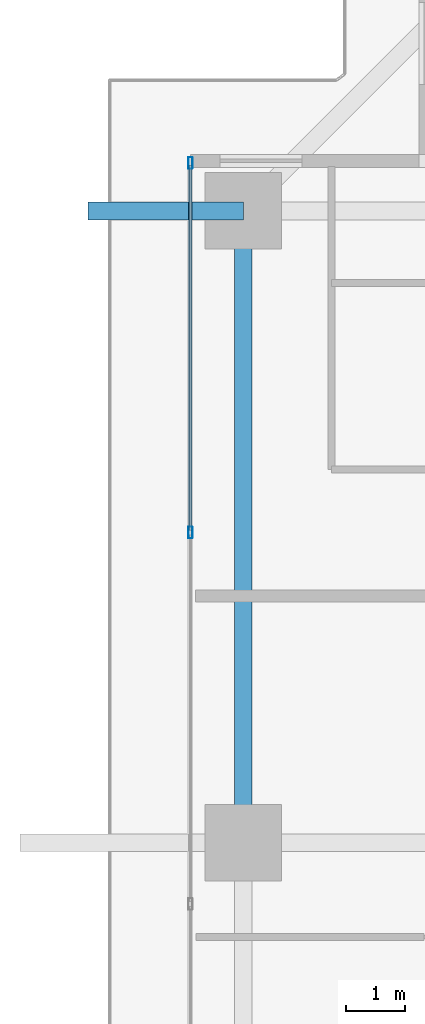
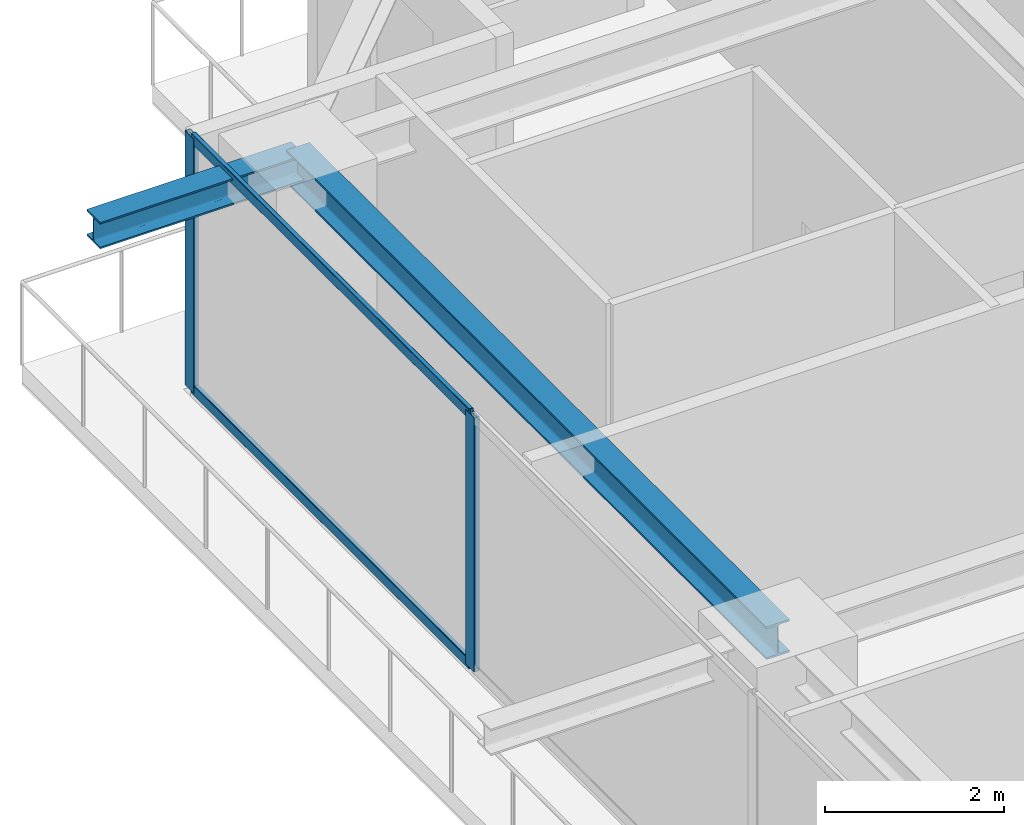
# One storey, part 14 of 33: 4 members, 2 beams, 1 element without a shape of its own.
"""IFC4 building model written with IfcOpenShell, lengths in metres."""

from ifc_helpers import new_model, si_unit, direction, frame, origin, origin_2d, place, context, subcontext, project, spatial, hollow_rectangle, i_section, extrude, source, transform, mapped, material, layer, layer_set, material_profile, profile_set, type_object, element, aggregate, save


model = new_model("IFC4")

# Units and contexts
model_context = context("Model", 3, precision=1e-05, world=origin(), true_north=direction((0.0, 1.0)))
body_context = subcontext(model_context, "Body", "Model", "MODEL_VIEW")
ifc_project = project(units=[si_unit("LENGTHUNIT", "METRE"), si_unit("AREAUNIT", "SQUARE_METRE"), si_unit("VOLUMEUNIT", "CUBIC_METRE"), si_unit("PLANEANGLEUNIT", "RADIAN"), si_unit("MASSUNIT", "GRAM", prefix="KILO")], contexts=[model_context])

# Site, building, storey
site_placement = place(None, origin())
site = spatial("IfcSite", under=ifc_project, at=site_placement, CompositionType="ELEMENT")
building_placement = place(site_placement, origin())
building = spatial("IfcBuilding", under=site, at=building_placement, Name="Serunith Strait Residences", CompositionType="ELEMENT")
storey_placement = place(building_placement, frame((0.0, 0.0, 165.14990234375)))
storey = spatial("IfcBuildingStorey", under=building, at=storey_placement, Name="L41", CompositionType="ELEMENT", Elevation=165.14990234375)

# Beams
ifc_material_1 = material(Name="Steel S355J2", Category="steel")
ifc_material_profile_1 = material_profile(ifc_material_1, i_section(OverallWidth=0.300048828125, OverallDepth=0.449951171875, WebThickness=0.013916015625, FlangeThickness=0.02587890625, FilletRadius=0.027099609375, at=origin_2d()), Name="HEB 450")
ifc_profile_set_1 = profile_set([ifc_material_profile_1], Name="Steel S355J2")
beam_type_1 = type_object("IfcBeamType", Name="BM-HEB450", PredefinedType="BEAM", material=ifc_profile_set_1)
shared_shape_1 = source(origin(), body_context, "Body", "SweptSolid", [
    extrude(i_section(OverallWidth=0.300048828125, OverallDepth=0.449951171875, WebThickness=0.013916015625, FlangeThickness=0.02587890625, FilletRadius=0.027099609375, at=origin_2d()), origin(), (0.0, 0.0, 1.0), 10.75),
])
beam_1_placement = place(storey_placement, frame((8.699951171875, 40.14990234375, 3.26220703125), z_axis=(0.0, -1.0, 0.0), x_axis=(1.0, 0.0, 0.0)))
element("IfcBeam", 1, at=beam_1_placement, inside=storey, type_object=beam_type_1, Name="L41 Perimeter Ring Beam 13", PredefinedType="BEAM", context=body_context, shape_type="MappedRepresentation", body=[
    mapped(shared_shape_1, transform((0.0, 0.0, 0.0), scale=1.0)),
])
ifc_material_profile_2 = material_profile(ifc_material_1, i_section(OverallWidth=0.300048828125, OverallDepth=0.360107421875, WebThickness=0.012451171875, FlangeThickness=0.0224609375, FilletRadius=0.027099609375, at=origin_2d()), Name="HEB 360")
ifc_profile_set_2 = profile_set([ifc_material_profile_2], Name="Steel S355J2")
beam_type_2 = type_object("IfcBeamType", Name="BM-HEB360", PredefinedType="BEAM", material=ifc_profile_set_2)
shared_shape_2 = source(origin(), body_context, "Body", "SweptSolid", [
    extrude(i_section(OverallWidth=0.300048828125, OverallDepth=0.360107421875, WebThickness=0.012451171875, FlangeThickness=0.0224609375, FilletRadius=0.027099609375, at=origin_2d()), origin(), (0.0, 0.0, 1.0), 2.64208984375),
])
beam_2_placement = place(storey_placement, frame((8.699951171875, 40.14990234375, 3.277099609375), z_axis=(-1.0, 0.0, 0.0), x_axis=(0.0, -1.0, 0.0)))
element("IfcBeam", 2, at=beam_2_placement, inside=storey, type_object=beam_type_2, Name="L42 Cantilevered Balcony Rib TC-W4", PredefinedType="BEAM", context=body_context, shape_type="MappedRepresentation", body=[
    mapped(shared_shape_2, transform((0.0, 0.0, 0.0), scale=1.0)),
])

# Curtain wall, members
ifc_material_2 = material(Name="Pale-Champagne Anodised Aluminium", Category="aluminium")
ifc_layer = layer(ifc_material_2, 0.199951171875, Name="Pale-Champagne Anodised Aluminium")
ifc_layer_set = layer_set([ifc_layer], Name="Pale-Champagne Anodised Aluminium")
curtain_wall_type = type_object("IfcCurtainWallType", Name="CW-SYS2", PredefinedType="NOTDEFINED", material=ifc_layer_set)
curtain_wall_placement = place(storey_placement, origin())
curtain_wall = element("IfcCurtainWall", 3, at=curtain_wall_placement, inside=storey, type_object=curtain_wall_type, Name="L41 W Unitised Fritted Curtain Wall", PredefinedType="NOTDEFINED")
ifc_material_profile_3 = material_profile(ifc_material_2, hollow_rectangle(XDim=0.070068359375, YDim=0.199951171875, WallThickness=0.00390625, InnerFilletRadius=0.006103515625, OuterFilletRadius=0.010009765625, at=origin_2d()), Name="ALU 200x70x4")
ifc_profile_set_3 = profile_set([ifc_material_profile_3], Name="Pale-Champagne Anodised Aluminium")
member_type_1 = type_object("IfcMemberType", Name="CW-SYS2-MULL", PredefinedType="MULLION", material=ifc_profile_set_3)
shared_shape_3 = source(origin(), body_context, "Body", "SweptSolid", [
    extrude(hollow_rectangle(XDim=0.070068359375, YDim=0.199951171875, WallThickness=0.00390625, InnerFilletRadius=0.006103515625, OuterFilletRadius=0.010009765625, at=origin_2d()), origin(), (0.0, 0.0, 1.0), 3.47509765625),
])
member_1_placement = place(storey_placement, frame((7.800048828125, 40.965087890625, 0.0), z_axis=(0.0, 0.0, 1.0), x_axis=(1.0, 0.0, 0.0)))
member_1 = element("IfcMember", 4, at=member_1_placement, type_object=member_type_1, Name="CW-2 mullion 1", PredefinedType="MULLION", context=body_context, shape_type="MappedRepresentation", body=[
    mapped(shared_shape_3, transform((0.0, 0.0, 0.0), scale=1.0)),
])
member_2_placement = place(storey_placement, frame((7.800048828125, 34.679931640625, 0.0), z_axis=(0.0, 0.0, 1.0), x_axis=(1.0, 0.0, 0.0)))
member_2 = element("IfcMember", 5, at=member_2_placement, type_object=member_type_1, Name="CW-2 mullion 2", PredefinedType="MULLION", context=body_context, shape_type="MappedRepresentation", body=[
    mapped(shared_shape_3, transform((0.0, 0.0, 0.0), scale=1.0)),
])
ifc_material_profile_4 = material_profile(ifc_material_2, hollow_rectangle(XDim=0.06005859375, YDim=0.139892578125, WallThickness=0.00341796875, InnerFilletRadius=0.00537109375, OuterFilletRadius=0.0087890625, at=origin_2d()), Name="ALU 140x60x3.5")
ifc_profile_set_4 = profile_set([ifc_material_profile_4], Name="Pale-Champagne Anodised Aluminium")
member_type_2 = type_object("IfcMemberType", Name="CW-SYS2-TRAN", PredefinedType="USERDEFINED", material=ifc_profile_set_4)
shared_shape_4 = source(origin(), body_context, "Body", "SweptSolid", [
    extrude(hollow_rectangle(XDim=0.06005859375, YDim=0.139892578125, WallThickness=0.00341796875, InnerFilletRadius=0.00537109375, OuterFilletRadius=0.0087890625, at=origin_2d()), origin(), (0.0, 0.0, 1.0), 6.21484375),
])
member_3_placement = place(storey_placement, frame((7.800048828125, 40.929931640625, 0.030029296875), z_axis=(0.0, -1.0, 0.0), x_axis=(1.0, 0.0, 0.0)))
member_3 = element("IfcMember", 6, at=member_3_placement, type_object=member_type_2, Name="CW-2 transom 1.1", ObjectType="TRANSOM", PredefinedType="USERDEFINED", context=body_context, shape_type="MappedRepresentation", body=[
    mapped(shared_shape_4, transform((0.0, 0.0, 0.0), scale=1.0)),
])
member_4_placement = place(storey_placement, frame((7.800048828125, 40.929931640625, 3.445068359375), z_axis=(0.0, -1.0, 0.0), x_axis=(1.0, 0.0, 0.0)))
member_4 = element("IfcMember", 7, at=member_4_placement, type_object=member_type_2, Name="CW-2 transom 1.2", ObjectType="TRANSOM", PredefinedType="USERDEFINED", context=body_context, shape_type="MappedRepresentation", body=[
    mapped(shared_shape_4, transform((0.0, 0.0, 0.0), scale=1.0)),
])
aggregate(curtain_wall, [member_1, member_2, member_3, member_4])

save(model, "model.ifc")
